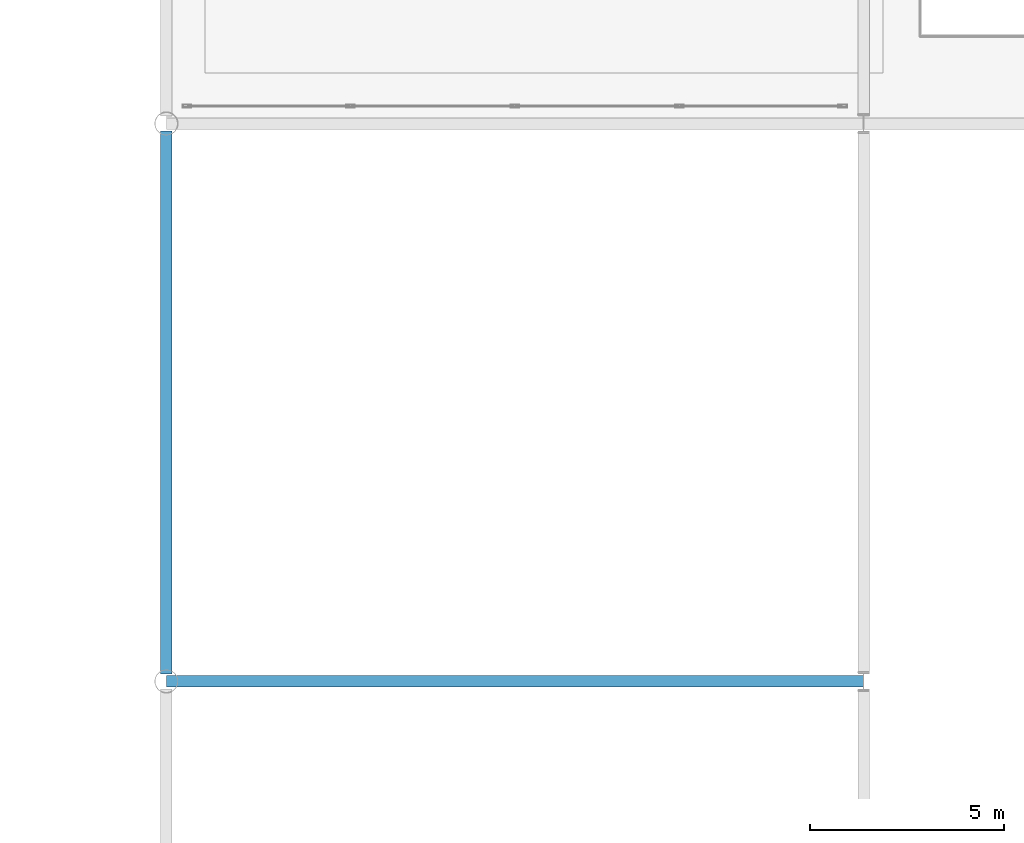
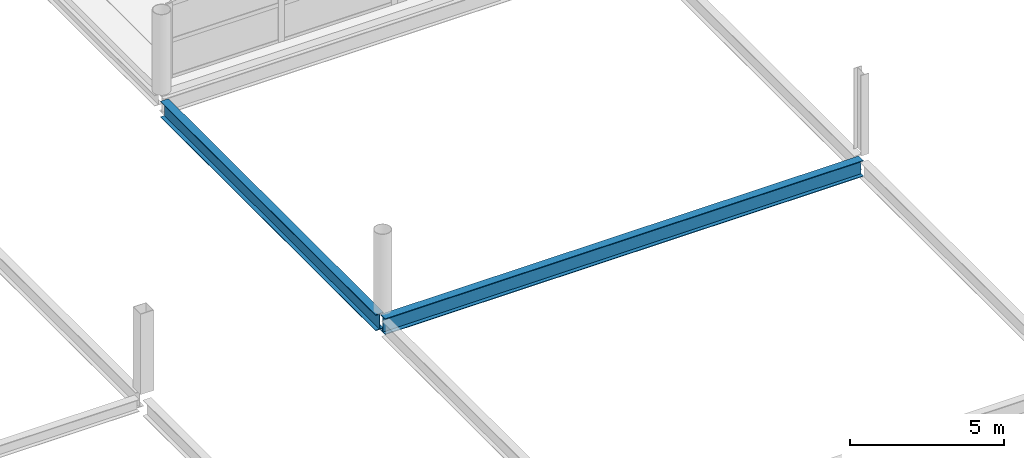
# One storey, part 51 of 134: 2 beams.
"""IFC4 building model written with IfcOpenShell, lengths in metres."""

from ifc_helpers import new_model, si_unit, direction, frame, origin, origin_2d, place, context, subcontext, project, spatial, i_section, extrude, material, material_profile, profile_set, type_object, element, save


model = new_model("IFC4")

# Units and contexts
model_context = context("Model", 3, precision=1e-05, world=origin(), true_north=direction((0.0, 1.0)))
body_context = subcontext(model_context, "Body", "Model", "MODEL_VIEW")
ifc_project = project(units=[si_unit("LENGTHUNIT", "METRE"), si_unit("AREAUNIT", "SQUARE_METRE"), si_unit("VOLUMEUNIT", "CUBIC_METRE"), si_unit("PLANEANGLEUNIT", "RADIAN"), si_unit("MASSUNIT", "GRAM", prefix="KILO")], contexts=[model_context])

# Site, building, storey
site_placement = place(None, origin())
site = spatial("IfcSite", under=ifc_project, at=site_placement, CompositionType="ELEMENT")
building_placement = place(site_placement, origin())
building = spatial("IfcBuilding", under=site, at=building_placement, Name="Tamarisk Ironworks Central Station", CompositionType="ELEMENT")
storey_placement = place(building_placement, frame((0.0, 0.0, 12.60009765625)))
storey = spatial("IfcBuildingStorey", under=building, at=storey_placement, Name="L02", CompositionType="ELEMENT", Elevation=12.60009765625)

# Beams
ifc_material = material(Name="Structural steel S355J2", Category="steel")
ifc_material_profile = material_profile(ifc_material, i_section(OverallWidth=0.300048828125, OverallDepth=0.639892578125, WebThickness=0.013427734375, FlangeThickness=0.02587890625, at=origin_2d()), Name="HEA 650")
ifc_profile_set = profile_set([ifc_material_profile], Name="Structural steel S355J2")
beam_type = type_object("IfcBeamType", Name="BM-G02", PredefinedType="BEAM", material=ifc_profile_set)
beam_1_placement = place(storey_placement, frame((54.00390625, 64.800048828125, -0.60009765625), z_axis=(1.0, 0.0, 0.0), x_axis=(0.0, 1.0, 0.0)))
element("IfcBeam", 1, at=beam_1_placement, inside=storey, type_object=beam_type, Name="L02 primary girder X-0348", PredefinedType="BEAM", context=body_context, shape_type="SweptSolid", body=[
    extrude(i_section(OverallWidth=0.300048828125, OverallDepth=0.639892578125, WebThickness=0.013427734375, FlangeThickness=0.02587890625, at=origin_2d()), origin(), (0.0, 0.0, 1.0), 17.9921875),
])
beam_2_placement = place(storey_placement, frame((54.0, 64.99609375, -0.60009765625), z_axis=(0.0, 1.0, 0.0), x_axis=(-1.0, 0.0, 0.0)))
element("IfcBeam", 2, at=beam_2_placement, inside=storey, type_object=beam_type, Name="L02 primary girder Y-0460", PredefinedType="BEAM", context=body_context, shape_type="SweptSolid", body=[
    extrude(i_section(OverallWidth=0.300048828125, OverallDepth=0.639892578125, WebThickness=0.013427734375, FlangeThickness=0.02587890625, at=origin_2d()), origin(), (0.0, 0.0, 1.0), 14.0078125),
])

save(model, "model.ifc")
